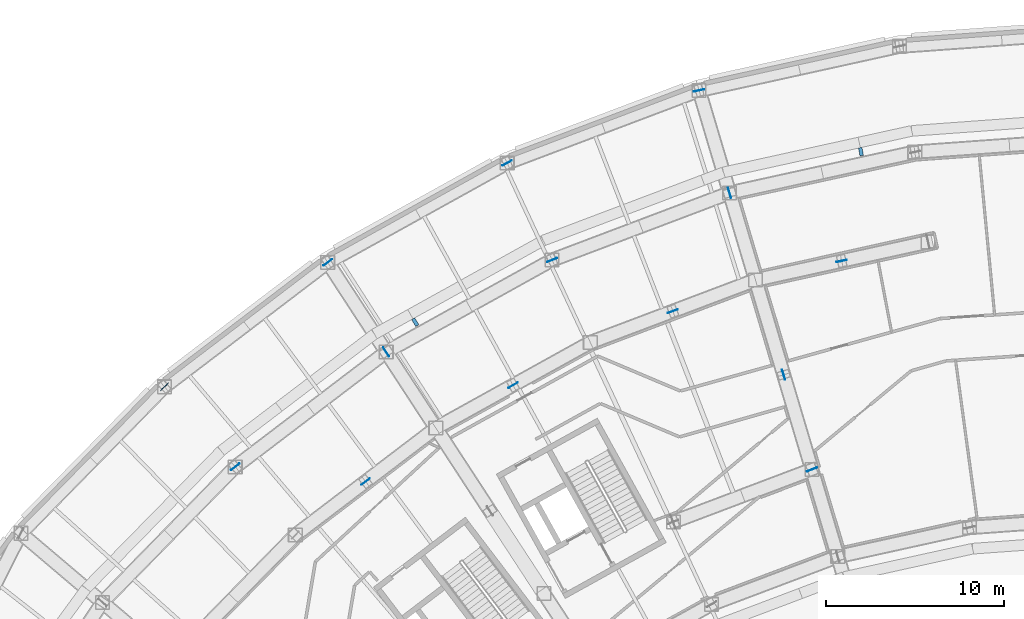
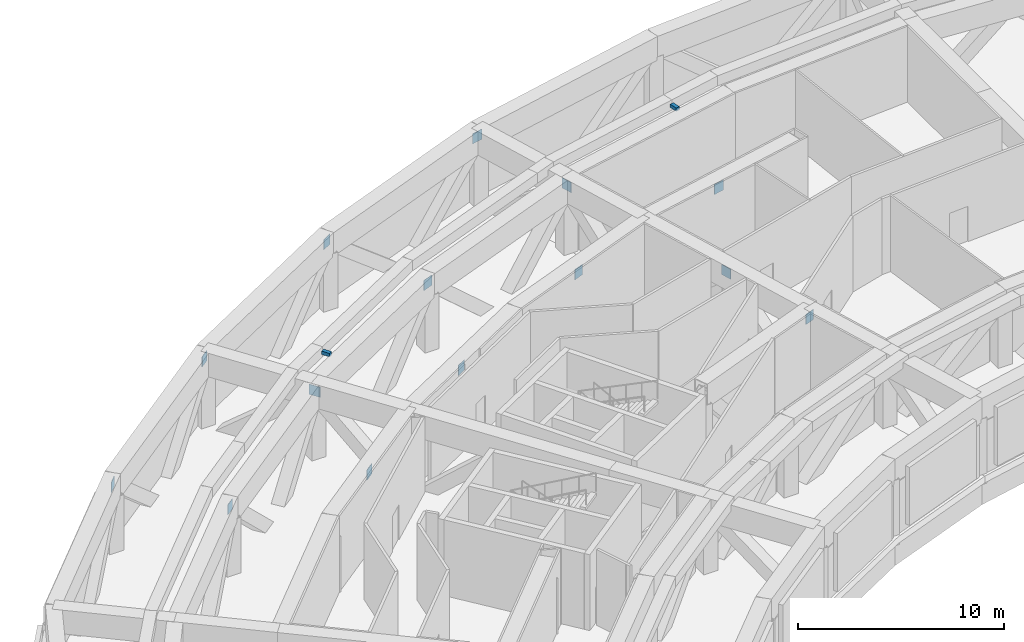
# One storey, part 21 of 30: 16 discrete accessories.
"""IFC4 building model written with IfcOpenShell, lengths in metres."""

import ifcopenshell
import ifcopenshell.guid

model = None  # the IFC model being written
_history = None  # IfcOwnerHistory: only IFC2X3 demands one
_inside = {}  # id of a spatial element -> (the spatial element, [elements in it])
_under = {}  # id of a project, library or spatial element -> (it, [spatial elements below it])
_declared = {}  # id of a project -> (the project, [libraries it declares])
_typed = {}  # id of a type object -> (the type object, [elements of that type])
_made_of = {}  # id of a material, layer set ... -> (it, [elements and type objects made of it])


def new_model(schema):
    """Start an empty IFC model of exactly this schema.

    Asked for "IFC4X3", IfcOpenShell would pick the latest addendum, in which some entities
    have other attributes; the version numbers below select the first issue.
    IFC2X3 requires an IfcOwnerHistory on every rooted entity: one is made here for all.
    """
    global model, _history
    if schema == "IFC4X3":
        model = ifcopenshell.file(schema_version=(4, 3, 0, 0))
    else:
        model = ifcopenshell.file(schema=schema)
    _inside.clear()
    _under.clear()
    _declared.clear()
    _typed.clear()
    _made_of.clear()
    _history = None
    if model.schema == "IFC2X3":
        org = make("IfcOrganization", Name="unknown")
        user = make(
            "IfcPersonAndOrganization",
            ThePerson=make("IfcPerson", FamilyName="unknown"),
            TheOrganization=org,
        )
        app = make(
            "IfcApplication",
            ApplicationDeveloper=org,
            Version="unknown",
            ApplicationFullName="unknown",
            ApplicationIdentifier="unknown",
        )
        _history = make(
            "IfcOwnerHistory",
            OwningUser=user,
            OwningApplication=app,
            ChangeAction="ADDED",
            CreationDate=0,
        )
    return model


def make(cls, **values):
    """One entity of the class cls with the attributes given. An attribute that is None is left unset."""
    return model.create_entity(
        cls, **{name: value for name, value in values.items() if value is not None}
    )


def rooted(cls, **values):
    """An entity with a GlobalId (a new one), such as an element, a storey or a relation."""
    return make(cls, GlobalId=ifcopenshell.guid.new(), OwnerHistory=_history, **values)


def si_unit(unit_type, name, prefix=None):
    """IfcSIUnit, for example si_unit("LENGTHUNIT", "METRE", prefix="MILLI")."""
    return make("IfcSIUnit", UnitType=unit_type, Prefix=prefix, Name=name)


def assignment(units):
    """IfcUnitAssignment: the units of a project."""
    return None if units is None else make("IfcUnitAssignment", Units=units)


def point(xyz):
    """IfcCartesianPoint."""
    return None if xyz is None else make("IfcCartesianPoint", Coordinates=xyz)


def direction(xyz):
    """IfcDirection."""
    return None if xyz is None else make("IfcDirection", DirectionRatios=xyz)


def frame(location, z_axis=None, x_axis=None):
    """IfcAxis2Placement3D, a coordinate frame: its origin and axes. An axis left out is left unset."""
    return make(
        "IfcAxis2Placement3D",
        Location=point(location),
        Axis=direction(z_axis),
        RefDirection=direction(x_axis),
    )


def frame_2d(location, x_axis=None):
    """IfcAxis2Placement2D, a coordinate frame in the plane: its origin and x axis."""
    return make(
        "IfcAxis2Placement2D", Location=point(location), RefDirection=direction(x_axis)
    )


def origin():
    """The frame at (0, 0, 0) with its axes left unset."""
    return frame((0.0, 0.0, 0.0))


def origin_2d():
    """The frame at (0, 0) in the plane with its x axis left unset."""
    return frame_2d((0.0, 0.0))


def place(relative_to, where):
    """IfcLocalPlacement: puts the frame where relative to a parent placement (None: the world)."""
    return make(
        "IfcLocalPlacement", PlacementRelTo=relative_to, RelativePlacement=where
    )


def context(
    kind, dimensions, precision=None, world=None, true_north=None, identifier=None
):
    """IfcGeometricRepresentationContext, for example the 3D "Model" context."""
    return make(
        "IfcGeometricRepresentationContext",
        ContextIdentifier=identifier,
        ContextType=kind,
        CoordinateSpaceDimension=dimensions,
        Precision=precision,
        WorldCoordinateSystem=world,
        TrueNorth=true_north,
    )


def subcontext(parent, identifier, kind, view, scale=None):
    """IfcGeometricRepresentationSubContext, for example "Body" below "Model"."""
    return make(
        "IfcGeometricRepresentationSubContext",
        ContextIdentifier=identifier,
        ContextType=kind,
        ParentContext=parent,
        TargetScale=scale,
        TargetView=view,
    )


def project(units=None, contexts=None):
    """IfcProject with its units and contexts."""
    return rooted(
        "IfcProject",
        Name="project",
        RepresentationContexts=contexts,
        UnitsInContext=assignment(units),
    )


def spatial(cls, under=None, at=None, **own):
    """A site, building, storey or space (cls), placed at a placement, below another one or the project."""
    s = rooted(cls, ObjectPlacement=at, **own)
    if under is not None:
        _under.setdefault(under.id(), (under, []))[1].append(s)
    return s


def profile(cls, at=None, kind="AREA", **sizes):
    """A parametric profile (cls). Its sizes go by their IFC names, for example OverallWidth=200.0."""
    return make(cls, ProfileType=kind, Position=at, **sizes)


def rectangle(**sizes):
    """IfcRectangleProfileDef."""
    return profile("IfcRectangleProfileDef", **sizes)


def extrude(swept, where, along, depth):
    """IfcExtrudedAreaSolid: the profile swept, set in the frame where, extruded along a direction by depth."""
    return make(
        "IfcExtrudedAreaSolid",
        SweptArea=swept,
        Position=where,
        ExtrudedDirection=direction(along),
        Depth=depth,
    )


def shape(context_of_items, identifier, shape_type, items):
    """IfcShapeRepresentation: the items that make up one representation, for example the "Body"."""
    return make(
        "IfcShapeRepresentation",
        ContextOfItems=context_of_items,
        RepresentationIdentifier=identifier,
        RepresentationType=shape_type,
        Items=items,
    )


def material(Name=None, Category=None):
    """IfcMaterial."""
    return make("IfcMaterial", Name=Name, Category=Category)


def made_of(thing, what):
    """Note that an element or type object is made of a material, layer set ...; save() writes the relation."""
    if what is not None:
        _made_of.setdefault(what.id(), (what, []))[1].append(thing)
    return thing


def type_object(cls, material=None, **own):
    """A type object (cls), such as IfcWallType, which elements share."""
    return made_of(rooted(cls, **own), material)


def element(
    cls,
    number,
    at=None,
    inside=None,
    cuts=None,
    type_object=None,
    material=None,
    context=None,
    identifier="Body",
    shape_type=None,
    held_by="IfcProductDefinitionShape",
    body=None,
    shapes=None,
    **own,
):
    """One element of the class cls, such as IfcWall. Its Tag is "e" and its number.

    at: its placement. inside: the storey or other place that contains it. cuts: it is an
    opening in that element (IfcRelVoidsElement). A single representation is given by context,
    identifier, shape_type and body (its items); several are given by shapes. held_by: the class
    of the entity that holds the representations. save() writes the other relations.
    """
    e = rooted(cls, Tag="e%d" % number, ObjectPlacement=at, **own)
    if body is not None:
        shapes = [shape(context, identifier, shape_type, body)]
    if shapes is not None:
        e.Representation = make(held_by, Representations=shapes)
    if inside is not None:
        _inside.setdefault(inside.id(), (inside, []))[1].append(e)
    if cuts is not None:
        rooted(
            "IfcRelVoidsElement", RelatingBuildingElement=cuts, RelatedOpeningElement=e
        )
    if type_object is not None:
        _typed.setdefault(type_object.id(), (type_object, []))[1].append(e)
    return made_of(e, material)


def aggregate(whole, parts):
    """IfcRelAggregates: a whole, such as a stair, and the parts it consists of."""
    return rooted("IfcRelAggregates", RelatingObject=whole, RelatedObjects=parts)


def save(model, path):
    """Write the relations noted so far, then the file.

    IfcRelAggregates (storeys below a building ...), IfcRelContainedInSpatialStructure (elements
    in a storey), IfcRelDefinesByType, IfcRelAssociatesMaterial and IfcRelDeclares: one each for
    every whole, place, type object, material and project.
    """
    for whole, parts in _under.values():
        aggregate(whole, parts)
    for where, things in _inside.values():
        rooted(
            "IfcRelContainedInSpatialStructure",
            RelatedElements=things,
            RelatingStructure=where,
        )
    for kind, things in _typed.values():
        rooted("IfcRelDefinesByType", RelatedObjects=things, RelatingType=kind)
    for what, things in _made_of.values():
        rooted("IfcRelAssociatesMaterial", RelatedObjects=things, RelatingMaterial=what)
    for by, libraries in _declared.values():
        rooted("IfcRelDeclares", RelatingContext=by, RelatedDefinitions=libraries)
    model.write(path)


model = new_model("IFC4")

# Units and contexts
model_context = context("Model", 3, precision=1e-05, world=origin(), true_north=direction((0.0, 1.0)))
body_context = subcontext(model_context, "Body", "Model", "MODEL_VIEW")
ifc_project = project(units=[si_unit("LENGTHUNIT", "METRE"), si_unit("AREAUNIT", "SQUARE_METRE"), si_unit("VOLUMEUNIT", "CUBIC_METRE"), si_unit("PLANEANGLEUNIT", "RADIAN"), si_unit("MASSUNIT", "GRAM", prefix="KILO")], contexts=[model_context])

# Site, building, storey
site_placement = place(None, origin())
site = spatial("IfcSite", under=ifc_project, at=site_placement, CompositionType="ELEMENT")
building_placement = place(site_placement, origin())
building = spatial("IfcBuilding", under=site, at=building_placement, Name="Tuul Gate Civic Tower", CompositionType="ELEMENT")
storey_placement = place(building_placement, frame((0.0, 0.0, 26.699951171875)))
storey = spatial("IfcBuildingStorey", under=building, at=storey_placement, Name="Plant and refuge floor 1", CompositionType="ELEMENT", Elevation=26.699951171875)

# Discrete accessories
ifc_material_1 = material(Name="Steel S355", Category="steel")
discrete_accessory_type_1 = type_object("IfcDiscreteAccessoryType", Name="Gusset plate", PredefinedType="BRACKET", material=ifc_material_1)
for number, where, z_axis, x_axis, name in (
    (1, (-21.0771484375, 10.8291015625, 3.50341796875), (0.0, 0.0, 1.0), (-0.28519561857, 0.958469331355, 0.0), "Gusset plate"),
    (2, (-40.402099609375, 1.875732421875, 3.50341796875), (0.0, 0.0, 1.0), (-0.546705342807, 0.837325067191, 0.0), "Gusset plate"),
    (3, (-18.031005859375, 0.594482421875, 3.50341796875), (0.0, 0.0, 1.0), (-0.28519561857, 0.958469331355, 0.0), "Gusset plate"),
    (4, (-52.878173828125, -0.081787109375, 3.503173828125), (0.0, 0.0, 1.0), (-0.700013398821, -0.714129709136, 0.0), "Gusset plate"),
    (5, (-43.691162109375, 6.913330078125, 3.503173828125), (0.0, 0.0, 1.0), (-0.795624520184, -0.605790081532, 0.0), "Gusset plate"),
    (6, (-33.592041015625, 12.51123046875, 3.503173828125), (0.0, 0.0, 1.0), (-0.874618497139, -0.484811803139, 0.0), "Gusset plate"),
    (7, (-22.7919921875, 16.59521484375, 3.503173828125), (0.0, 0.0, 1.0), (0.976566621246, 0.215215320711, 0.0), "Gusset plate"),
    (8, (-48.898193359375, -4.591796875, 3.50341796875), (0.0, 0.0, 1.0), (0.795663839612, 0.605738437227, 0.0), "Gusset plate"),
    (9, (-31.064208984375, 7.05224609375, 3.50341796875), (0.0, 0.0, 1.0), (0.935344056956, 0.35373930389, 0.0), "Gusset plate"),
    (10, (-33.26025390625, 0.003662109375, 3.50341796875), (0.0, 0.0, 1.0), (-0.874609350034, -0.484828304488, 0.0), "Gusset plate"),
    (11, (-14.76513671875, 6.99755859375, 3.50341796875), (0.0, 0.0, 1.0), (-0.976565152543, -0.215221985028, 0.0), "Gusset plate"),
    (12, (-41.560302734375, -5.416015625, 3.50341796875), (0.0, 0.0, 1.0), (-0.7956241607, -0.605790553665, 0.0), "Gusset plate"),
    (13, (-24.26611328125, 4.17041015625, 3.50341796875), (0.0, 0.0, 1.0), (-0.935366342935, -0.35368037054, 0.0), "Gusset plate"),
    (14, (-16.44091796875, -4.73779296875, 3.50390625), (0.0, 0.0, 1.0), (-0.935378577037, -0.353648013737, 0.0), "Gusset plate"),
):
    element("IfcDiscreteAccessory", number, at=place(storey_placement, frame(where, z_axis=z_axis, x_axis=x_axis)), inside=storey, type_object=discrete_accessory_type_1, Name=name, PredefinedType="BRACKET", context=body_context, shape_type="SweptSolid", body=[
        extrude(rectangle(XDim=0.60009765625, YDim=0.030029296875, at=origin_2d()), origin(), (0.0, 0.0, 1.0), 0.60009765625),
    ])
ifc_material_2 = material(Name="Stainless steel", Category="steel")
discrete_accessory_type_2 = type_object("IfcDiscreteAccessoryType", Name="Screen bracket", PredefinedType="BRACKET", material=ifc_material_2)
discrete_accessory_1_placement = place(storey_placement, frame((-13.68212890625, 13.14990234375, 4.35009765625), z_axis=(0.0, 0.0, 1.0), x_axis=(-0.183891306166, 0.982946584264, 0.0)))
element("IfcDiscreteAccessory", 15, at=discrete_accessory_1_placement, inside=storey, type_object=discrete_accessory_type_2, Name="Screen bracket 10", PredefinedType="BRACKET", context=body_context, shape_type="SweptSolid", body=[
    extrude(rectangle(XDim=0.4501953125, YDim=0.199951171875, at=origin_2d()), origin(), (0.0, 0.0, 1.0), 0.199951171875),
])
discrete_accessory_2_placement = place(storey_placement, frame((-38.766845703125, 3.554443359375, 4.35009765625), z_axis=(0.0, 0.0, 1.0), x_axis=(-0.520739965229, 0.853715344019, 0.0)))
element("IfcDiscreteAccessory", 16, at=discrete_accessory_2_placement, inside=storey, type_object=discrete_accessory_type_2, Name="Screen bracket 13", PredefinedType="BRACKET", context=body_context, shape_type="SweptSolid", body=[
    extrude(rectangle(XDim=0.450439453125, YDim=0.199951171875, at=origin_2d()), origin(), (0.0, 0.0, 1.0), 0.199951171875),
])

save(model, "model.ifc")
